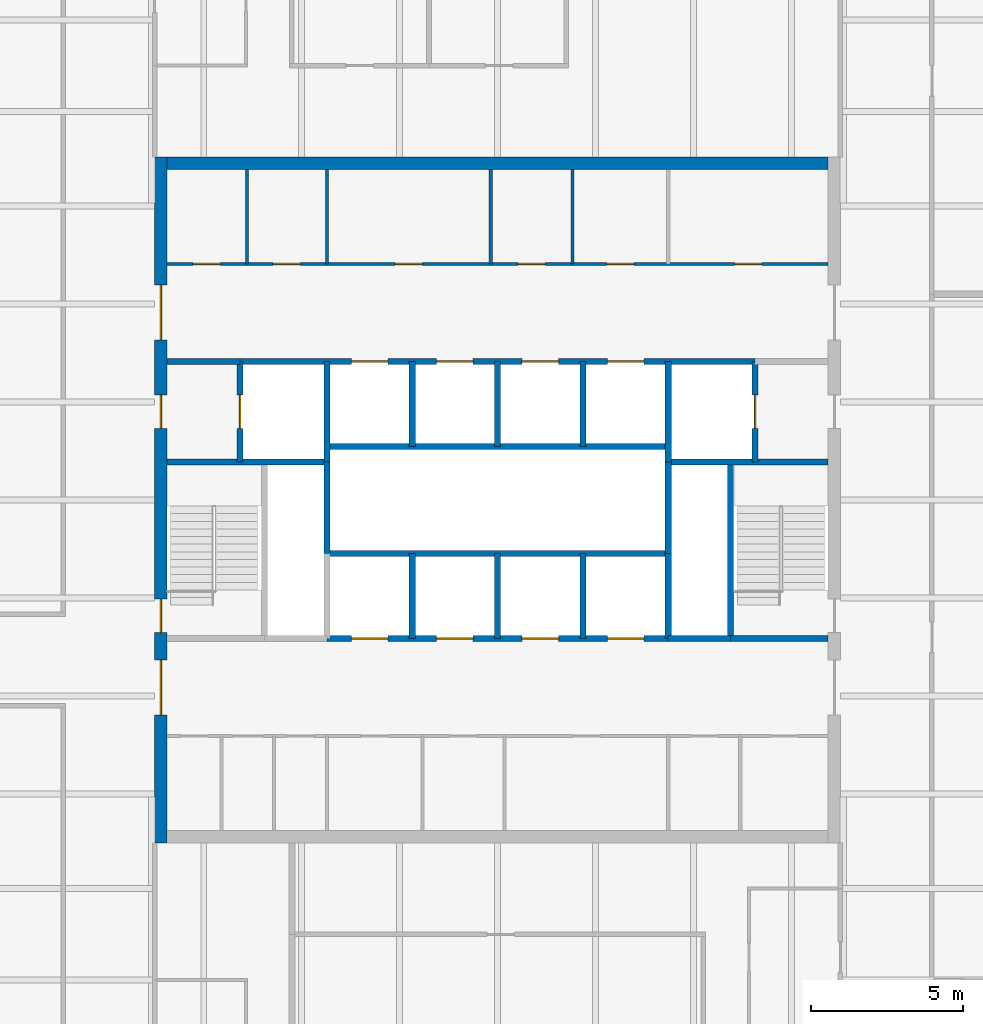
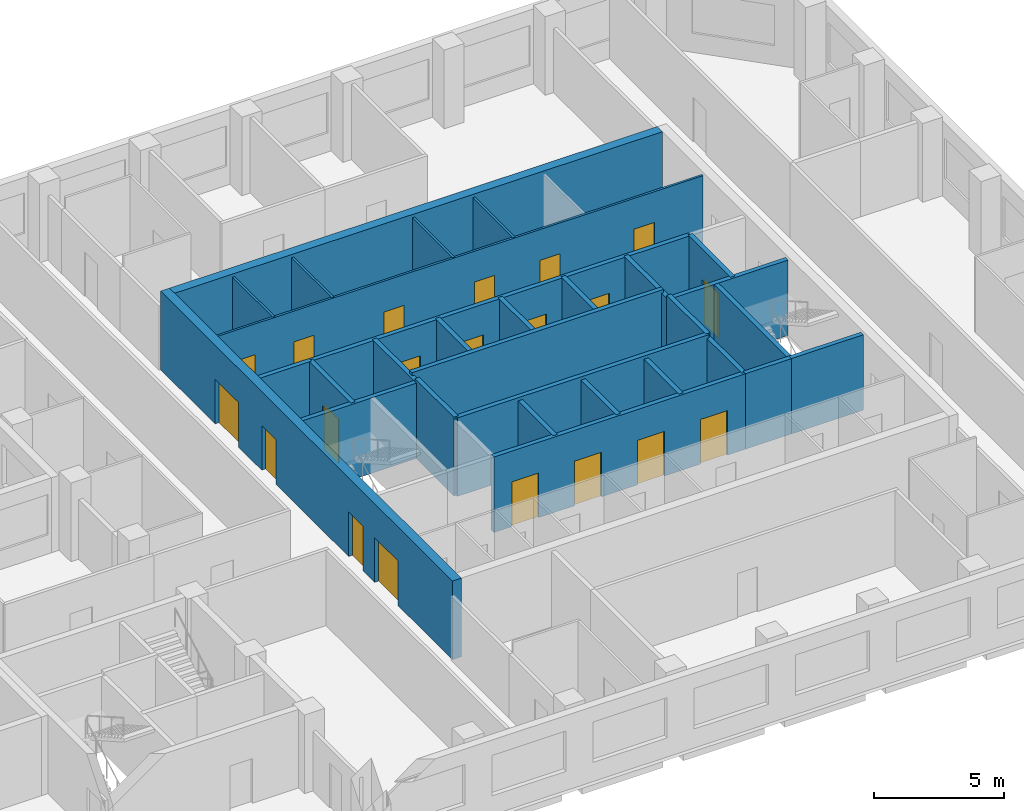
# One storey, part 6 of 10: 30 walls, 20 doors, 20 openings.
"""IFC4 building model written with IfcOpenShell, lengths in metres."""

from ifc_helpers import new_model, si_unit, direction, frame, frame_2d, origin, place, context, subcontext, project, spatial, rectangle, extrude, material, layer, layer_set, type_object, element, fill, save


model = new_model("IFC4")

# Units and contexts
model_context = context("Model", 3, precision=1e-05, world=origin(), true_north=direction((0.0, 1.0)))
body_context = subcontext(model_context, "Body", "Model", "MODEL_VIEW")
ifc_project = project(units=[si_unit("LENGTHUNIT", "METRE"), si_unit("AREAUNIT", "SQUARE_METRE"), si_unit("VOLUMEUNIT", "CUBIC_METRE"), si_unit("PLANEANGLEUNIT", "RADIAN"), si_unit("MASSUNIT", "GRAM", prefix="KILO")], contexts=[model_context])

# Site, building, storey
site_placement = place(None, origin())
site = spatial("IfcSite", under=ifc_project, at=site_placement, CompositionType="ELEMENT")
building_placement = place(site_placement, origin())
building = spatial("IfcBuilding", under=site, at=building_placement, Name="Quoin Convention Tower", CompositionType="ELEMENT")
storey_placement = place(building_placement, frame((0.0, 0.0, 256.300048828125)))
storey = spatial("IfcBuildingStorey", under=building, at=storey_placement, Name="L67", CompositionType="ELEMENT", Elevation=256.300048828125)

# Wall, openings, doors
ifc_material_1 = material(Name="Plasterboard")
ifc_layer_1 = layer(ifc_material_1, 0.012451171875, Name="Finish")
ifc_material_2 = material(Name="Steel stud framing", Category="steel")
ifc_layer_2 = layer(ifc_material_2, 0.074951171875, Name="Structure")
ifc_layer_3 = layer(ifc_material_1, 0.012451171875, Name="Finish")
ifc_layer_set_1 = layer_set([ifc_layer_1, ifc_layer_2, ifc_layer_3], Name="Steel stud framing")
wall_type_1 = type_object("IfcWallType", Name="Core partition wall", PredefinedType="PARTITIONING", material=ifc_layer_set_1)
wall_1_placement = place(storey_placement, frame((45.39990234375, 68.5, 0.0), z_axis=(0.0, 0.0, 1.0), x_axis=(1.0, 0.0, 0.0)))
wall_1 = element("IfcWall", 1, at=wall_1_placement, inside=storey, type_object=wall_type_1, Name="cr-C1-L67-h19000_400", PredefinedType="PARTITIONING", context=body_context, shape_type="SweptSolid", body=[
    extrude(rectangle(XDim=21.7001953125, YDim=0.10009765625, at=frame_2d((10.85009765625, 0.0))), origin(), (0.0, 0.0, 1.0), 3.550048828125),
])
opening_1_placement = place(wall_1_placement, frame((18.625, 0.0, 0.0)))
opening_1 = element("IfcOpeningElement", 2, at=opening_1_placement, cuts=wall_1, Name="Opening DCV5-15", PredefinedType="OPENING", context=body_context, shape_type="SweptSolid", body=[
    extrude(rectangle(XDim=0.89990234375, YDim=2.10009765625, at=frame_2d((0.449951171875, 1.050048828125))), frame((0.0, 0.06005859375, 0.0), z_axis=(0.0, -1.0, 0.0), x_axis=(1.0, 0.0, 0.0)), (0.0, 0.0, 1.0), 0.1201171875),
])
opening_2_placement = place(wall_1_placement, frame((0.862548828125, 0.0, 0.0)))
opening_2 = element("IfcOpeningElement", 3, at=opening_2_placement, cuts=wall_1, Name="Opening DCV5-08", PredefinedType="OPENING", context=body_context, shape_type="SweptSolid", body=[
    extrude(rectangle(XDim=0.89990234375, YDim=2.10009765625, at=frame_2d((0.449951171875, 1.050048828125))), frame((0.0, 0.06005859375, 0.0), z_axis=(0.0, -1.0, 0.0), x_axis=(1.0, 0.0, 0.0)), (0.0, 0.0, 1.0), 0.1201171875),
])
opening_3_placement = place(wall_1_placement, frame((3.487548828125, 0.0, 0.0)))
opening_3 = element("IfcOpeningElement", 4, at=opening_3_placement, cuts=wall_1, Name="Opening DCV5-09", PredefinedType="OPENING", context=body_context, shape_type="SweptSolid", body=[
    extrude(rectangle(XDim=0.89990234375, YDim=2.10009765625, at=frame_2d((0.449951171875, 1.050048828125))), frame((0.0, 0.06005859375, 0.0), z_axis=(0.0, -1.0, 0.0), x_axis=(1.0, 0.0, 0.0)), (0.0, 0.0, 1.0), 0.1201171875),
])
opening_4_placement = place(wall_1_placement, frame((14.431884765625, 0.0, 0.0)))
opening_4 = element("IfcOpeningElement", 5, at=opening_4_placement, cuts=wall_1, Name="Opening DCV5-14", PredefinedType="OPENING", context=body_context, shape_type="SweptSolid", body=[
    extrude(rectangle(XDim=0.89990234375, YDim=2.10009765625, at=frame_2d((0.449951171875, 1.050048828125))), frame((0.0, 0.06005859375, 0.0), z_axis=(0.0, -1.0, 0.0), x_axis=(1.0, 0.0, 0.0)), (0.0, 0.0, 1.0), 0.1201171875),
])
opening_5_placement = place(wall_1_placement, frame((11.52001953125, 0.0, 0.0)))
opening_5 = element("IfcOpeningElement", 6, at=opening_5_placement, cuts=wall_1, Name="Opening DCV5-12", PredefinedType="OPENING", context=body_context, shape_type="SweptSolid", body=[
    extrude(rectangle(XDim=0.89990234375, YDim=2.10009765625, at=frame_2d((0.449951171875, 1.050048828125))), frame((0.0, 0.06005859375, 0.0), z_axis=(0.0, -1.0, 0.0), x_axis=(1.0, 0.0, 0.0)), (0.0, 0.0, 1.0), 0.1201171875),
])
opening_6_placement = place(wall_1_placement, frame((7.488037109375, 0.0, 0.0)))
opening_6 = element("IfcOpeningElement", 7, at=opening_6_placement, cuts=wall_1, Name="Opening DCV5-10", PredefinedType="OPENING", context=body_context, shape_type="SweptSolid", body=[
    extrude(rectangle(XDim=0.89990234375, YDim=2.10009765625, at=frame_2d((0.449951171875, 1.050048828125))), frame((0.0, 0.06005859375, 0.0), z_axis=(0.0, -1.0, 0.0), x_axis=(1.0, 0.0, 0.0)), (0.0, 0.0, 1.0), 0.1201171875),
])
ifc_material_3 = material(Name="Steel door leaf", Category="steel")
door_type_1 = type_object("IfcDoorType", Name="Core room door 900 x 2100", OperationType="SINGLE_SWING_LEFT", PredefinedType="DOOR", material=ifc_material_3)
door_1_placement = place(opening_1_placement, origin())
door_1 = element("IfcDoor", 8, at=door_1_placement, inside=storey, type_object=door_type_1, Name="cd-C1-L67-CNE0-lobB-CD6707", OperationType="SINGLE_SWING_LEFT", OverallHeight=2.10009765625, OverallWidth=0.89990234375, PredefinedType="DOOR", context=body_context, shape_type="SweptSolid", body=[
    extrude(rectangle(XDim=0.89990234375, YDim=2.10009765625, at=frame_2d((0.449951171875, 1.050048828125))), frame((0.0, 0.02490234375, 0.0), z_axis=(0.0, -1.0, 0.0), x_axis=(1.0, 0.0, 0.0)), (0.0, 0.0, 1.0), 0.050048828125),
])
fill(opening_1, door_1)
door_2_placement = place(opening_2_placement, origin())
door_2 = element("IfcDoor", 9, at=door_2_placement, inside=storey, type_object=door_type_1, Name="cd-C1-L67-CNW0-lobB-CD6708", OperationType="SINGLE_SWING_RIGHT", OverallHeight=2.10009765625, OverallWidth=0.89990234375, PredefinedType="DOOR", context=body_context, shape_type="SweptSolid", body=[
    extrude(rectangle(XDim=0.89990234375, YDim=2.10009765625, at=frame_2d((0.449951171875, 1.050048828125))), frame((0.0, 0.02490234375, 0.0), z_axis=(0.0, -1.0, 0.0), x_axis=(1.0, 0.0, 0.0)), (0.0, 0.0, 1.0), 0.050048828125),
])
fill(opening_2, door_2)
door_3_placement = place(opening_3_placement, origin())
door_3 = element("IfcDoor", 10, at=door_3_placement, inside=storey, type_object=door_type_1, Name="cd-C1-L67-CNW1-lobB-CD6709", OperationType="SINGLE_SWING_RIGHT", OverallHeight=2.10009765625, OverallWidth=0.89990234375, PredefinedType="DOOR", context=body_context, shape_type="SweptSolid", body=[
    extrude(rectangle(XDim=0.89990234375, YDim=2.10009765625, at=frame_2d((0.449951171875, 1.050048828125))), frame((0.0, 0.02490234375, 0.0), z_axis=(0.0, -1.0, 0.0), x_axis=(1.0, 0.0, 0.0)), (0.0, 0.0, 1.0), 0.050048828125),
])
fill(opening_3, door_3)
door_4_placement = place(opening_4_placement, origin())
door_4 = element("IfcDoor", 11, at=door_4_placement, inside=storey, type_object=door_type_1, Name="cd-C1-L67-F40-lobB-CD6718", OperationType="SINGLE_SWING_RIGHT", OverallHeight=2.10009765625, OverallWidth=0.89990234375, PredefinedType="DOOR", context=body_context, shape_type="SweptSolid", body=[
    extrude(rectangle(XDim=0.89990234375, YDim=2.10009765625, at=frame_2d((0.449951171875, 1.050048828125))), frame((0.0, 0.02490234375, 0.0), z_axis=(0.0, -1.0, 0.0), x_axis=(1.0, 0.0, 0.0)), (0.0, 0.0, 1.0), 0.050048828125),
])
fill(opening_4, door_4)
door_5_placement = place(opening_5_placement, origin())
door_5 = element("IfcDoor", 12, at=door_5_placement, inside=storey, type_object=door_type_1, Name="cd-C1-L67-F41-lobB-CD6719", OperationType="SINGLE_SWING_RIGHT", OverallHeight=2.10009765625, OverallWidth=0.89990234375, PredefinedType="DOOR", context=body_context, shape_type="SweptSolid", body=[
    extrude(rectangle(XDim=0.89990234375, YDim=2.10009765625, at=frame_2d((0.449951171875, 1.050048828125))), frame((0.0, 0.02490234375, 0.0), z_axis=(0.0, -1.0, 0.0), x_axis=(1.0, 0.0, 0.0)), (0.0, 0.0, 1.0), 0.050048828125),
])
fill(opening_5, door_5)
door_6_placement = place(opening_6_placement, origin())
door_6 = element("IfcDoor", 13, at=door_6_placement, inside=storey, type_object=door_type_1, Name="cd-C1-L67-F42-lobB-CD6720", OperationType="SINGLE_SWING_RIGHT", OverallHeight=2.10009765625, OverallWidth=0.89990234375, PredefinedType="DOOR", context=body_context, shape_type="SweptSolid", body=[
    extrude(rectangle(XDim=0.89990234375, YDim=2.10009765625, at=frame_2d((0.449951171875, 1.050048828125))), frame((0.0, 0.02490234375, 0.0), z_axis=(0.0, -1.0, 0.0), x_axis=(1.0, 0.0, 0.0)), (0.0, 0.0, 1.0), 0.050048828125),
])
fill(opening_6, door_6)

# Walls
for number, where, z_axis, x_axis, name in (
    (14, (48.02490234375, 68.5, 0.0), (0.0, 0.0, 1.0), (0.0, 1.0, 0.0), "cr-C1-L67-v3025_19000"),
    (15, (50.64990234375, 68.5, 0.0), (0.0, 0.0, 1.0), (0.0, 1.0, 0.0), "cr-C1-L67-v5650_19000"),
    (16, (56.02587890625, 68.5, 0.0), (0.0, 0.0, 1.0), (0.0, 1.0, 0.0), "cr-C1-L67-v11026_19000"),
    (17, (58.714111328125, 68.5, 0.0), (0.0, 0.0, 1.0), (0.0, 1.0, 0.0), "cr-C1-L67-v13714_19000"),
):
    element("IfcWall", number, at=place(storey_placement, frame(where, z_axis=z_axis, x_axis=x_axis)), inside=storey, type_object=wall_type_1, Name=name, PredefinedType="PARTITIONING", context=body_context, shape_type="SweptSolid", body=[
        extrude(rectangle(XDim=3.10009765625, YDim=0.10009765625, at=frame_2d((1.550048828125, 0.0))), origin(), (0.0, 0.0, 1.0), 3.550048828125),
    ])
ifc_material_4 = material(Name="Concrete C50", Category="concrete")
ifc_layer_4 = layer(ifc_material_4, 0.199951171875)
ifc_layer_set_2 = layer_set([ifc_layer_4], Name="Concrete C50")
wall_type_2 = type_object("IfcWallType", Name="Core shaft wall", PredefinedType="SOLIDWALL", material=ifc_layer_set_2)
wall_2_placement = place(storey_placement, frame((61.85009765625, 56.199951171875, 0.0), z_axis=(0.0, 0.0, 1.0), x_axis=(1.0, 0.0, 0.0)))
element("IfcWall", 18, at=wall_2_placement, inside=storey, type_object=wall_type_2, Name="cr-C1-L67-h6700_16850", PredefinedType="SOLIDWALL", context=body_context, shape_type="SweptSolid", body=[
    extrude(rectangle(XDim=2.0498046875, YDim=0.199951171875, at=frame_2d((1.02490234375, 0.0))), origin(), (0.0, 0.0, 1.0), 3.550048828125),
])

# Wall, openings, doors
wall_3_placement = place(storey_placement, frame((50.64990234375, 56.199951171875, 0.0), z_axis=(0.0, 0.0, 1.0), x_axis=(1.0, 0.0, 0.0)))
wall_3 = element("IfcWall", 19, at=wall_3_placement, inside=storey, type_object=wall_type_2, Name="cr-C1-L67-h6700_5650", PredefinedType="SOLIDWALL", context=body_context, shape_type="SweptSolid", body=[
    extrude(rectangle(XDim=11.2001953125, YDim=0.199951171875, at=frame_2d((5.60009765625, 0.0))), origin(), (0.0, 0.0, 1.0), 3.550048828125),
])
opening_7_placement = place(wall_3_placement, frame((0.800048828125, 0.0, 0.0)))
opening_7 = element("IfcOpeningElement", 20, at=opening_7_placement, cuts=wall_3, Name="Opening LDH1", PredefinedType="OPENING", context=body_context, shape_type="SweptSolid", body=[
    extrude(rectangle(XDim=1.199951171875, YDim=2.10009765625, at=frame_2d((0.60009765625, 1.050048828125))), frame((0.0, 0.10986328125, 0.0), z_axis=(0.0, -1.0, 0.0), x_axis=(1.0, 0.0, 0.0)), (0.0, 0.0, 1.0), 0.219970703125),
])
opening_8_placement = place(wall_3_placement, frame((3.60009765625, 0.0, 0.0)))
opening_8 = element("IfcOpeningElement", 21, at=opening_8_placement, cuts=wall_3, Name="Opening LDH2", PredefinedType="OPENING", context=body_context, shape_type="SweptSolid", body=[
    extrude(rectangle(XDim=1.199951171875, YDim=2.10009765625, at=frame_2d((0.60009765625, 1.050048828125))), frame((0.0, 0.10986328125, 0.0), z_axis=(0.0, -1.0, 0.0), x_axis=(1.0, 0.0, 0.0)), (0.0, 0.0, 1.0), 0.219970703125),
])
opening_9_placement = place(wall_3_placement, frame((6.39990234375, 0.0, 0.0)))
opening_9 = element("IfcOpeningElement", 22, at=opening_9_placement, cuts=wall_3, Name="Opening LDH3", PredefinedType="OPENING", context=body_context, shape_type="SweptSolid", body=[
    extrude(rectangle(XDim=1.199951171875, YDim=2.10009765625, at=frame_2d((0.60009765625, 1.050048828125))), frame((0.0, 0.10986328125, 0.0), z_axis=(0.0, -1.0, 0.0), x_axis=(1.0, 0.0, 0.0)), (0.0, 0.0, 1.0), 0.219970703125),
])
opening_10_placement = place(wall_3_placement, frame((9.199951171875, 0.0, 0.0)))
opening_10 = element("IfcOpeningElement", 23, at=opening_10_placement, cuts=wall_3, Name="Opening LDH4", PredefinedType="OPENING", context=body_context, shape_type="SweptSolid", body=[
    extrude(rectangle(XDim=1.199951171875, YDim=2.10009765625, at=frame_2d((0.60009765625, 1.050048828125))), frame((0.0, 0.10986328125, 0.0), z_axis=(0.0, -1.0, 0.0), x_axis=(1.0, 0.0, 0.0)), (0.0, 0.0, 1.0), 0.219970703125),
])
door_type_2 = type_object("IfcDoorType", Name="Lift landing door 1200 x 2100", OperationType="DOUBLE_DOOR_SLIDING", PredefinedType="DOOR", material=ifc_material_3)
door_7_placement = place(opening_7_placement, origin())
door_7 = element("IfcDoor", 24, at=door_7_placement, inside=storey, type_object=door_type_2, Name="cd-C1-L67-R20-lobA-LDH1", OperationType="DOUBLE_DOOR_SLIDING", OverallHeight=2.10009765625, OverallWidth=1.199951171875, PredefinedType="DOOR", context=body_context, shape_type="SweptSolid", body=[
    extrude(rectangle(XDim=1.199951171875, YDim=2.10009765625, at=frame_2d((0.60009765625, 1.050048828125))), frame((0.0, 0.02490234375, 0.0), z_axis=(0.0, -1.0, 0.0), x_axis=(1.0, 0.0, 0.0)), (0.0, 0.0, 1.0), 0.050048828125),
])
fill(opening_7, door_7)
door_8_placement = place(opening_8_placement, origin())
door_8 = element("IfcDoor", 25, at=door_8_placement, inside=storey, type_object=door_type_2, Name="cd-C1-L67-R21-lobA-LDH2", OperationType="DOUBLE_DOOR_SLIDING", OverallHeight=2.10009765625, OverallWidth=1.199951171875, PredefinedType="DOOR", context=body_context, shape_type="SweptSolid", body=[
    extrude(rectangle(XDim=1.199951171875, YDim=2.10009765625, at=frame_2d((0.60009765625, 1.050048828125))), frame((0.0, 0.02490234375, 0.0), z_axis=(0.0, -1.0, 0.0), x_axis=(1.0, 0.0, 0.0)), (0.0, 0.0, 1.0), 0.050048828125),
])
fill(opening_8, door_8)
door_9_placement = place(opening_9_placement, origin())
door_9 = element("IfcDoor", 26, at=door_9_placement, inside=storey, type_object=door_type_2, Name="cd-C1-L67-R22-lobA-LDH3", OperationType="DOUBLE_DOOR_SLIDING", OverallHeight=2.10009765625, OverallWidth=1.199951171875, PredefinedType="DOOR", context=body_context, shape_type="SweptSolid", body=[
    extrude(rectangle(XDim=1.199951171875, YDim=2.10009765625, at=frame_2d((0.60009765625, 1.050048828125))), frame((0.0, 0.02490234375, 0.0), z_axis=(0.0, -1.0, 0.0), x_axis=(1.0, 0.0, 0.0)), (0.0, 0.0, 1.0), 0.050048828125),
])
fill(opening_9, door_9)
door_10_placement = place(opening_10_placement, origin())
door_10 = element("IfcDoor", 27, at=door_10_placement, inside=storey, type_object=door_type_2, Name="cd-C1-L67-R23-lobA-LDH4", OperationType="DOUBLE_DOOR_SLIDING", OverallHeight=2.10009765625, OverallWidth=1.199951171875, PredefinedType="DOOR", context=body_context, shape_type="SweptSolid", body=[
    extrude(rectangle(XDim=1.199951171875, YDim=2.10009765625, at=frame_2d((0.60009765625, 1.050048828125))), frame((0.0, 0.02490234375, 0.0), z_axis=(0.0, -1.0, 0.0), x_axis=(1.0, 0.0, 0.0)), (0.0, 0.0, 1.0), 0.050048828125),
])
fill(opening_10, door_10)

# Walls
wall_4_placement = place(storey_placement, frame((63.89990234375, 56.199951171875, 0.0), z_axis=(0.0, 0.0, 1.0), x_axis=(1.0, 0.0, 0.0)))
element("IfcWall", 28, at=wall_4_placement, inside=storey, type_object=wall_type_2, Name="cr-C1-L67-h6700_18900", PredefinedType="SOLIDWALL", context=body_context, shape_type="SweptSolid", body=[
    extrude(rectangle(XDim=3.2001953125, YDim=0.199951171875, at=frame_2d((1.60009765625, 0.0))), origin(), (0.0, 0.0, 1.0), 3.550048828125),
])
for number, where, z_axis, x_axis, name in (
    (29, (45.39990234375, 62.0, 0.0), (0.0, 0.0, 1.0), (1.0, 0.0, 0.0), "cr-C1-L67-h12500_400"),
    (30, (61.85009765625, 62.0, 0.0), (0.0, 0.0, 1.0), (1.0, 0.0, 0.0), "cr-C1-L67-h12500_16850"),
):
    element("IfcWall", number, at=place(storey_placement, frame(where, z_axis=z_axis, x_axis=x_axis)), inside=storey, type_object=wall_type_2, Name=name, PredefinedType="SOLIDWALL", context=body_context, shape_type="SweptSolid", body=[
        extrude(rectangle(XDim=5.25, YDim=0.199951171875, at=frame_2d((2.625, 0.0))), origin(), (0.0, 0.0, 1.0), 3.550048828125),
    ])
wall_5_placement = place(storey_placement, frame((45.39990234375, 65.300048828125, 0.0), z_axis=(0.0, 0.0, 1.0), x_axis=(1.0, 0.0, 0.0)))
element("IfcWall", 31, at=wall_5_placement, inside=storey, type_object=wall_type_2, Name="cr-C1-L67-h15800_400", PredefinedType="SOLIDWALL", context=body_context, shape_type="SweptSolid", body=[
    extrude(rectangle(XDim=2.400146484375, YDim=0.199951171875, at=frame_2d((1.2001953125, 0.0))), origin(), (0.0, 0.0, 1.0), 3.550048828125),
])

# Wall, openings, doors
wall_6_placement = place(storey_placement, frame((47.800048828125, 65.300048828125, 0.0), z_axis=(0.0, 0.0, 1.0), x_axis=(1.0, 0.0, 0.0)))
wall_6 = element("IfcWall", 32, at=wall_6_placement, inside=storey, type_object=wall_type_2, Name="cr-C1-L67-h15800_2800", PredefinedType="SOLIDWALL", context=body_context, shape_type="SweptSolid", body=[
    extrude(rectangle(XDim=16.89990234375, YDim=0.199951171875, at=frame_2d((8.449951171875, 0.0))), origin(), (0.0, 0.0, 1.0), 3.550048828125),
])
opening_11_placement = place(wall_6_placement, frame((3.64990234375, 0.0, 0.0)))
opening_11 = element("IfcOpeningElement", 33, at=opening_11_placement, cuts=wall_6, Name="Opening LDH5", PredefinedType="OPENING", context=body_context, shape_type="SweptSolid", body=[
    extrude(rectangle(XDim=1.199951171875, YDim=2.10009765625, at=frame_2d((0.60009765625, 1.050048828125))), frame((0.0, 0.10986328125, 0.0), z_axis=(0.0, -1.0, 0.0), x_axis=(1.0, 0.0, 0.0)), (0.0, 0.0, 1.0), 0.219970703125),
])
opening_12_placement = place(wall_6_placement, frame((6.449951171875, 0.0, 0.0)))
opening_12 = element("IfcOpeningElement", 34, at=opening_12_placement, cuts=wall_6, Name="Opening LDH6", PredefinedType="OPENING", context=body_context, shape_type="SweptSolid", body=[
    extrude(rectangle(XDim=1.199951171875, YDim=2.10009765625, at=frame_2d((0.60009765625, 1.050048828125))), frame((0.0, 0.10986328125, 0.0), z_axis=(0.0, -1.0, 0.0), x_axis=(1.0, 0.0, 0.0)), (0.0, 0.0, 1.0), 0.219970703125),
])
opening_13_placement = place(wall_6_placement, frame((9.25, 0.0, 0.0)))
opening_13 = element("IfcOpeningElement", 35, at=opening_13_placement, cuts=wall_6, Name="Opening LDH7", PredefinedType="OPENING", context=body_context, shape_type="SweptSolid", body=[
    extrude(rectangle(XDim=1.199951171875, YDim=2.10009765625, at=frame_2d((0.60009765625, 1.050048828125))), frame((0.0, 0.10986328125, 0.0), z_axis=(0.0, -1.0, 0.0), x_axis=(1.0, 0.0, 0.0)), (0.0, 0.0, 1.0), 0.219970703125),
])
opening_14_placement = place(wall_6_placement, frame((12.050048828125, 0.0, 0.0)))
opening_14 = element("IfcOpeningElement", 36, at=opening_14_placement, cuts=wall_6, Name="Opening LDH8", PredefinedType="OPENING", context=body_context, shape_type="SweptSolid", body=[
    extrude(rectangle(XDim=1.199951171875, YDim=2.10009765625, at=frame_2d((0.60009765625, 1.050048828125))), frame((0.0, 0.10986328125, 0.0), z_axis=(0.0, -1.0, 0.0), x_axis=(1.0, 0.0, 0.0)), (0.0, 0.0, 1.0), 0.219970703125),
])
door_11_placement = place(opening_11_placement, origin())
door_11 = element("IfcDoor", 37, at=door_11_placement, inside=storey, type_object=door_type_2, Name="cd-C1-L67-R30-lobB-LDH5", OperationType="DOUBLE_DOOR_SLIDING", OverallHeight=2.10009765625, OverallWidth=1.199951171875, PredefinedType="DOOR", context=body_context, shape_type="SweptSolid", body=[
    extrude(rectangle(XDim=1.199951171875, YDim=2.10009765625, at=frame_2d((0.60009765625, 1.050048828125))), frame((0.0, 0.02490234375, 0.0), z_axis=(0.0, -1.0, 0.0), x_axis=(1.0, 0.0, 0.0)), (0.0, 0.0, 1.0), 0.050048828125),
])
fill(opening_11, door_11)
door_12_placement = place(opening_12_placement, origin())
door_12 = element("IfcDoor", 38, at=door_12_placement, inside=storey, type_object=door_type_2, Name="cd-C1-L67-R31-lobB-LDH6", OperationType="DOUBLE_DOOR_SLIDING", OverallHeight=2.10009765625, OverallWidth=1.199951171875, PredefinedType="DOOR", context=body_context, shape_type="SweptSolid", body=[
    extrude(rectangle(XDim=1.199951171875, YDim=2.10009765625, at=frame_2d((0.60009765625, 1.050048828125))), frame((0.0, 0.02490234375, 0.0), z_axis=(0.0, -1.0, 0.0), x_axis=(1.0, 0.0, 0.0)), (0.0, 0.0, 1.0), 0.050048828125),
])
fill(opening_12, door_12)
door_13_placement = place(opening_13_placement, origin())
door_13 = element("IfcDoor", 39, at=door_13_placement, inside=storey, type_object=door_type_2, Name="cd-C1-L67-R32-lobB-LDH7", OperationType="DOUBLE_DOOR_SLIDING", OverallHeight=2.10009765625, OverallWidth=1.199951171875, PredefinedType="DOOR", context=body_context, shape_type="SweptSolid", body=[
    extrude(rectangle(XDim=1.199951171875, YDim=2.10009765625, at=frame_2d((0.60009765625, 1.050048828125))), frame((0.0, 0.02490234375, 0.0), z_axis=(0.0, -1.0, 0.0), x_axis=(1.0, 0.0, 0.0)), (0.0, 0.0, 1.0), 0.050048828125),
])
fill(opening_13, door_13)
door_14_placement = place(opening_14_placement, origin())
door_14 = element("IfcDoor", 40, at=door_14_placement, inside=storey, type_object=door_type_2, Name="cd-C1-L67-R33-lobB-LDH8", OperationType="DOUBLE_DOOR_SLIDING", OverallHeight=2.10009765625, OverallWidth=1.199951171875, PredefinedType="DOOR", context=body_context, shape_type="SweptSolid", body=[
    extrude(rectangle(XDim=1.199951171875, YDim=2.10009765625, at=frame_2d((0.60009765625, 1.050048828125))), frame((0.0, 0.02490234375, 0.0), z_axis=(0.0, -1.0, 0.0), x_axis=(1.0, 0.0, 0.0)), (0.0, 0.0, 1.0), 0.050048828125),
])
fill(opening_14, door_14)

# Wall, opening, door
wall_7_placement = place(storey_placement, frame((47.800048828125, 62.0, 0.0), z_axis=(0.0, 0.0, 1.0), x_axis=(0.0, 1.0, 0.0)))
wall_7 = element("IfcWall", 41, at=wall_7_placement, inside=storey, type_object=wall_type_2, Name="cr-C1-L67-v2800_12500", PredefinedType="SOLIDWALL", context=body_context, shape_type="SweptSolid", body=[
    extrude(rectangle(XDim=3.300048828125, YDim=0.199951171875, at=frame_2d((1.64990234375, 0.0))), origin(), (0.0, 0.0, 1.0), 3.550048828125),
])
opening_15_placement = place(wall_7_placement, frame((1.10009765625, 0.0, 0.0)))
opening_15 = element("IfcOpeningElement", 42, at=opening_15_placement, cuts=wall_7, Name="Opening LDFL1", PredefinedType="OPENING", context=body_context, shape_type="SweptSolid", body=[
    extrude(rectangle(XDim=1.10009765625, YDim=2.10009765625, at=frame_2d((0.550048828125, 1.050048828125))), frame((0.0, 0.10986328125, 0.0), z_axis=(0.0, -1.0, 0.0), x_axis=(1.0, 0.0, 0.0)), (0.0, 0.0, 1.0), 0.219970703125),
])
door_type_3 = type_object("IfcDoorType", Name="Lift landing door 1100 x 2100", OperationType="DOUBLE_DOOR_SLIDING", PredefinedType="DOOR", material=ifc_material_3)
door_15_placement = place(opening_15_placement, origin())
door_15 = element("IfcDoor", 43, at=door_15_placement, inside=storey, type_object=door_type_3, Name="cd-C1-L67-FLW-FFW-LDFL1", OperationType="DOUBLE_DOOR_SLIDING", OverallHeight=2.10009765625, OverallWidth=1.10009765625, PredefinedType="DOOR", context=body_context, shape_type="SweptSolid", body=[
    extrude(rectangle(XDim=1.10009765625, YDim=2.10009765625, at=frame_2d((0.550048828125, 1.050048828125))), frame((0.0, 0.02490234375, 0.0), z_axis=(0.0, -1.0, 0.0), x_axis=(1.0, 0.0, 0.0)), (0.0, 0.0, 1.0), 0.050048828125),
])
fill(opening_15, door_15)

# Walls
wall_8_placement = place(storey_placement, frame((50.64990234375, 62.0, 0.0), z_axis=(0.0, 0.0, 1.0), x_axis=(0.0, 1.0, 0.0)))
element("IfcWall", 44, at=wall_8_placement, inside=storey, type_object=wall_type_2, Name="cr-C1-L67-v5650_12500", PredefinedType="SOLIDWALL", context=body_context, shape_type="SweptSolid", body=[
    extrude(rectangle(XDim=3.300048828125, YDim=0.199951171875, at=frame_2d((1.64990234375, 0.0))), origin(), (0.0, 0.0, 1.0), 3.550048828125),
])
for number, where, z_axis, x_axis, name in (
    (45, (53.449951171875, 56.199951171875, 0.0), (0.0, 0.0, 1.0), (0.0, 1.0, 0.0), "cr-C1-L67-v8450_6700"),
    (46, (53.449951171875, 62.5, 0.0), (0.0, 0.0, 1.0), (0.0, 1.0, 0.0), "cr-C1-L67-v8450_13000"),
    (47, (56.25, 56.199951171875, 0.0), (0.0, 0.0, 1.0), (0.0, 1.0, 0.0), "cr-C1-L67-v11250_6700"),
    (48, (56.25, 62.5, 0.0), (0.0, 0.0, 1.0), (0.0, 1.0, 0.0), "cr-C1-L67-v11250_13000"),
    (49, (59.050048828125, 56.199951171875, 0.0), (0.0, 0.0, 1.0), (0.0, 1.0, 0.0), "cr-C1-L67-v14050_6700"),
    (50, (59.050048828125, 62.5, 0.0), (0.0, 0.0, 1.0), (0.0, 1.0, 0.0), "cr-C1-L67-v14050_13000"),
    (51, (61.85009765625, 56.199951171875, 0.0), (0.0, 0.0, 1.0), (0.0, 1.0, 0.0), "cr-C1-L67-v16850_6700"),
):
    element("IfcWall", number, at=place(storey_placement, frame(where, z_axis=z_axis, x_axis=x_axis)), inside=storey, type_object=wall_type_2, Name=name, PredefinedType="SOLIDWALL", context=body_context, shape_type="SweptSolid", body=[
        extrude(rectangle(XDim=2.800048828125, YDim=0.199951171875, at=frame_2d((1.39990234375, 0.0))), origin(), (0.0, 0.0, 1.0), 3.550048828125),
    ])
wall_9_placement = place(storey_placement, frame((61.85009765625, 62.0, 0.0), z_axis=(0.0, 0.0, 1.0), x_axis=(0.0, 1.0, 0.0)))
element("IfcWall", 52, at=wall_9_placement, inside=storey, type_object=wall_type_2, Name="cr-C1-L67-v16850_12500", PredefinedType="SOLIDWALL", context=body_context, shape_type="SweptSolid", body=[
    extrude(rectangle(XDim=3.300048828125, YDim=0.199951171875, at=frame_2d((1.64990234375, 0.0))), origin(), (0.0, 0.0, 1.0), 3.550048828125),
])
wall_10_placement = place(storey_placement, frame((63.89990234375, 56.199951171875, 0.0), z_axis=(0.0, 0.0, 1.0), x_axis=(0.0, 1.0, 0.0)))
element("IfcWall", 53, at=wall_10_placement, inside=storey, type_object=wall_type_2, Name="cr-C1-L67-v18900_6700", PredefinedType="SOLIDWALL", context=body_context, shape_type="SweptSolid", body=[
    extrude(rectangle(XDim=5.800048828125, YDim=0.199951171875, at=frame_2d((2.89990234375, 0.0))), origin(), (0.0, 0.0, 1.0), 3.550048828125),
])

# Wall, opening, door
wall_11_placement = place(storey_placement, frame((64.699951171875, 62.0, 0.0), z_axis=(0.0, 0.0, 1.0), x_axis=(0.0, 1.0, 0.0)))
wall_11 = element("IfcWall", 54, at=wall_11_placement, inside=storey, type_object=wall_type_2, Name="cr-C1-L67-v19700_12500", PredefinedType="SOLIDWALL", context=body_context, shape_type="SweptSolid", body=[
    extrude(rectangle(XDim=3.300048828125, YDim=0.199951171875, at=frame_2d((1.64990234375, 0.0))), origin(), (0.0, 0.0, 1.0), 3.550048828125),
])
opening_16_placement = place(wall_11_placement, frame((1.10009765625, 0.0, 0.0)))
opening_16 = element("IfcOpeningElement", 55, at=opening_16_placement, cuts=wall_11, Name="Opening LDFL2", PredefinedType="OPENING", context=body_context, shape_type="SweptSolid", body=[
    extrude(rectangle(XDim=1.10009765625, YDim=2.10009765625, at=frame_2d((0.550048828125, 1.050048828125))), frame((0.0, 0.10986328125, 0.0), z_axis=(0.0, -1.0, 0.0), x_axis=(1.0, 0.0, 0.0)), (0.0, 0.0, 1.0), 0.219970703125),
])
door_16_placement = place(opening_16_placement, origin())
door_16 = element("IfcDoor", 56, at=door_16_placement, inside=storey, type_object=door_type_3, Name="cd-C1-L67-FLE-FFE-LDFL2", OperationType="DOUBLE_DOOR_SLIDING", OverallHeight=2.10009765625, OverallWidth=1.10009765625, PredefinedType="DOOR", context=body_context, shape_type="SweptSolid", body=[
    extrude(rectangle(XDim=1.10009765625, YDim=2.10009765625, at=frame_2d((0.550048828125, 1.050048828125))), frame((0.0, 0.02490234375, 0.0), z_axis=(0.0, -1.0, 0.0), x_axis=(1.0, 0.0, 0.0)), (0.0, 0.0, 1.0), 0.050048828125),
])
fill(opening_16, door_16)

# Walls
ifc_layer_5 = layer(ifc_material_4, 0.199951171875)
ifc_layer_set_3 = layer_set([ifc_layer_5], Name="Concrete C50")
wall_type_3 = type_object("IfcWallType", Name="Core shaft wall to the floor level over", PredefinedType="SOLIDWALL", material=ifc_layer_set_3)
for number, where, z_axis, x_axis, name in (
    (57, (50.64990234375, 59.0, 0.0), (0.0, 0.0, 1.0), (1.0, 0.0, 0.0), "cr-C1-L67-h9500_5650"),
    (58, (50.64990234375, 62.5, 0.0), (0.0, 0.0, 1.0), (1.0, 0.0, 0.0), "cr-C1-L67-h13000_5650"),
):
    element("IfcWall", number, at=place(storey_placement, frame(where, z_axis=z_axis, x_axis=x_axis)), inside=storey, type_object=wall_type_3, Name=name, PredefinedType="SOLIDWALL", context=body_context, shape_type="SweptSolid", body=[
        extrude(rectangle(XDim=11.2001953125, YDim=0.199951171875, at=frame_2d((5.60009765625, 0.0))), origin(), (0.0, 0.0, 1.0), 3.699951171875),
    ])
for number, where, z_axis, x_axis, name in (
    (59, (50.64990234375, 59.0, 0.0), (0.0, 0.0, 1.0), (0.0, 1.0, 0.0), "cr-C1-L67-v5650_9500"),
    (60, (61.85009765625, 59.0, 0.0), (0.0, 0.0, 1.0), (0.0, 1.0, 0.0), "cr-C1-L67-v16850_9500"),
):
    element("IfcWall", number, at=place(storey_placement, frame(where, z_axis=z_axis, x_axis=x_axis)), inside=storey, type_object=wall_type_3, Name=name, PredefinedType="SOLIDWALL", context=body_context, shape_type="SweptSolid", body=[
        extrude(rectangle(XDim=3.0, YDim=0.199951171875, at=frame_2d((1.5, 0.0))), origin(), (0.0, 0.0, 1.0), 3.699951171875),
    ])
ifc_layer_6 = layer(ifc_material_4, 0.39990234375)
ifc_layer_set_4 = layer_set([ifc_layer_6], Name="Concrete C50")
wall_type_4 = type_object("IfcWallType", Name="RC CORE WALL 400 C50", PredefinedType="SHEAR", material=ifc_layer_set_4)
wall_12_placement = place(storey_placement, frame((45.39990234375, 71.800048828125, 0.0), z_axis=(0.0, 0.0, 1.0), x_axis=(1.0, 0.0, 0.0)))
element("IfcWall", 61, at=wall_12_placement, inside=storey, type_object=wall_type_4, Name="cwl-C1-L67-N", PredefinedType="SHEAR", context=body_context, shape_type="SweptSolid", body=[
    extrude(rectangle(XDim=21.7001953125, YDim=0.39990234375, at=frame_2d((10.85009765625, 0.0))), origin(), (0.0, 0.0, 1.0), 3.699951171875),
])

# Wall, openings, doors
wall_13_placement = place(storey_placement, frame((45.199951171875, 49.5, 0.0), z_axis=(0.0, 0.0, 1.0), x_axis=(0.0, 1.0, 0.0)))
wall_13 = element("IfcWall", 62, at=wall_13_placement, inside=storey, type_object=wall_type_4, Name="cwl-C1-L67-W", PredefinedType="SHEAR", context=body_context, shape_type="SweptSolid", body=[
    extrude(rectangle(XDim=22.5, YDim=0.39990234375, at=frame_2d((11.25, 0.0))), origin(), (0.0, 0.0, 1.0), 3.699951171875),
])
opening_17_placement = place(wall_13_placement, frame((4.199951171875, 0.0, 0.0)))
opening_17 = element("IfcOpeningElement", 63, at=opening_17_placement, cuts=wall_13, Name="Opening DCV5-50", PredefinedType="OPENING", context=body_context, shape_type="SweptSolid", body=[
    extrude(rectangle(XDim=1.800048828125, YDim=2.10009765625, at=frame_2d((0.89990234375, 1.050048828125))), frame((0.0, 0.2099609375, 0.0), z_axis=(0.0, -1.0, 0.0), x_axis=(1.0, 0.0, 0.0)), (0.0, 0.0, 1.0), 0.419921875),
])
opening_18_placement = place(wall_13_placement, frame((6.89990234375, 0.0, 0.0)))
opening_18 = element("IfcOpeningElement", 64, at=opening_18_placement, cuts=wall_13, Name="Opening SD1", PredefinedType="OPENING", context=body_context, shape_type="SweptSolid", body=[
    extrude(rectangle(XDim=1.10009765625, YDim=2.10009765625, at=frame_2d((0.550048828125, 1.050048828125))), frame((0.0, 0.2099609375, 0.0), z_axis=(0.0, -1.0, 0.0), x_axis=(1.0, 0.0, 0.0)), (0.0, 0.0, 1.0), 0.419921875),
])
opening_19_placement = place(wall_13_placement, frame((13.60009765625, 0.0, 0.0)))
opening_19 = element("IfcOpeningElement", 65, at=opening_19_placement, cuts=wall_13, Name="Opening DCV5-49", PredefinedType="OPENING", context=body_context, shape_type="SweptSolid", body=[
    extrude(rectangle(XDim=1.10009765625, YDim=2.10009765625, at=frame_2d((0.550048828125, 1.050048828125))), frame((0.0, 0.2099609375, 0.0), z_axis=(0.0, -1.0, 0.0), x_axis=(1.0, 0.0, 0.0)), (0.0, 0.0, 1.0), 0.419921875),
])
opening_20_placement = place(wall_13_placement, frame((16.5, 0.0, 0.0)))
opening_20 = element("IfcOpeningElement", 66, at=opening_20_placement, cuts=wall_13, Name="Opening DCV5-50", PredefinedType="OPENING", context=body_context, shape_type="SweptSolid", body=[
    extrude(rectangle(XDim=1.800048828125, YDim=2.10009765625, at=frame_2d((0.89990234375, 1.050048828125))), frame((0.0, 0.2099609375, 0.0), z_axis=(0.0, -1.0, 0.0), x_axis=(1.0, 0.0, 0.0)), (0.0, 0.0, 1.0), 0.419921875),
])
door_type_4 = type_object("IfcDoorType", Name="Fire-fighting lobby door 1100 x 2100", OperationType="SINGLE_SWING_LEFT", PredefinedType="DOOR", material=ifc_material_3)
door_17_placement = place(opening_19_placement, frame((1.10009765625, 0.0, 0.0), z_axis=(0.0, 0.0, 1.0), x_axis=(-1.0, 0.0, 0.0)))
door_17 = element("IfcDoor", 67, at=door_17_placement, inside=storey, type_object=door_type_4, Name="cd-C1-L67-FFW-W", OperationType="SINGLE_SWING_LEFT", OverallHeight=2.10009765625, OverallWidth=1.10009765625, PredefinedType="DOOR", context=body_context, shape_type="SweptSolid", body=[
    extrude(rectangle(XDim=1.10009765625, YDim=2.10009765625, at=frame_2d((0.550048828125, 1.050048828125))), frame((0.0, 0.02490234375, 0.0), z_axis=(0.0, -1.0, 0.0), x_axis=(1.0, 0.0, 0.0)), (0.0, 0.0, 1.0), 0.050048828125),
])
fill(opening_19, door_17)
door_type_5 = type_object("IfcDoorType", Name="Lift lobby door 1800 x 2100", OperationType="SINGLE_SWING_LEFT", PredefinedType="DOOR", material=ifc_material_3)
door_18_placement = place(opening_17_placement, frame((1.800048828125, 0.0, 0.0), z_axis=(0.0, 0.0, 1.0), x_axis=(-1.0, 0.0, 0.0)))
door_18 = element("IfcDoor", 68, at=door_18_placement, inside=storey, type_object=door_type_5, Name="cd-C1-L67-lobA-W", OperationType="SINGLE_SWING_LEFT", OverallHeight=2.10009765625, OverallWidth=1.800048828125, PredefinedType="DOOR", context=body_context, shape_type="SweptSolid", body=[
    extrude(rectangle(XDim=1.800048828125, YDim=2.10009765625, at=frame_2d((0.89990234375, 1.050048828125))), frame((0.0, 0.02490234375, 0.0), z_axis=(0.0, -1.0, 0.0), x_axis=(1.0, 0.0, 0.0)), (0.0, 0.0, 1.0), 0.050048828125),
])
fill(opening_17, door_18)
door_19_placement = place(opening_20_placement, frame((1.800048828125, 0.0, 0.0), z_axis=(0.0, 0.0, 1.0), x_axis=(-1.0, 0.0, 0.0)))
door_19 = element("IfcDoor", 69, at=door_19_placement, inside=storey, type_object=door_type_5, Name="cd-C1-L67-lobB-W", OperationType="SINGLE_SWING_LEFT", OverallHeight=2.10009765625, OverallWidth=1.800048828125, PredefinedType="DOOR", context=body_context, shape_type="SweptSolid", body=[
    extrude(rectangle(XDim=1.800048828125, YDim=2.10009765625, at=frame_2d((0.89990234375, 1.050048828125))), frame((0.0, 0.02490234375, 0.0), z_axis=(0.0, -1.0, 0.0), x_axis=(1.0, 0.0, 0.0)), (0.0, 0.0, 1.0), 0.050048828125),
])
fill(opening_20, door_19)
door_type_6 = type_object("IfcDoorType", Name="Stair door 1100 x 2100", OperationType="SINGLE_SWING_RIGHT", PredefinedType="DOOR", material=ifc_material_3)
door_20_placement = place(opening_18_placement, frame((1.10009765625, 0.0, 0.0), z_axis=(0.0, 0.0, 1.0), x_axis=(-1.0, 0.0, 0.0)))
door_20 = element("IfcDoor", 70, at=door_20_placement, inside=storey, type_object=door_type_6, Name="cd-C1-L67-STW-W", OperationType="SINGLE_SWING_RIGHT", OverallHeight=2.10009765625, OverallWidth=1.10009765625, PredefinedType="DOOR", context=body_context, shape_type="SweptSolid", body=[
    extrude(rectangle(XDim=1.10009765625, YDim=2.10009765625, at=frame_2d((0.550048828125, 1.050048828125))), frame((0.0, 0.02490234375, 0.0), z_axis=(0.0, -1.0, 0.0), x_axis=(1.0, 0.0, 0.0)), (0.0, 0.0, 1.0), 0.050048828125),
])
fill(opening_18, door_20)

save(model, "model.ifc")
